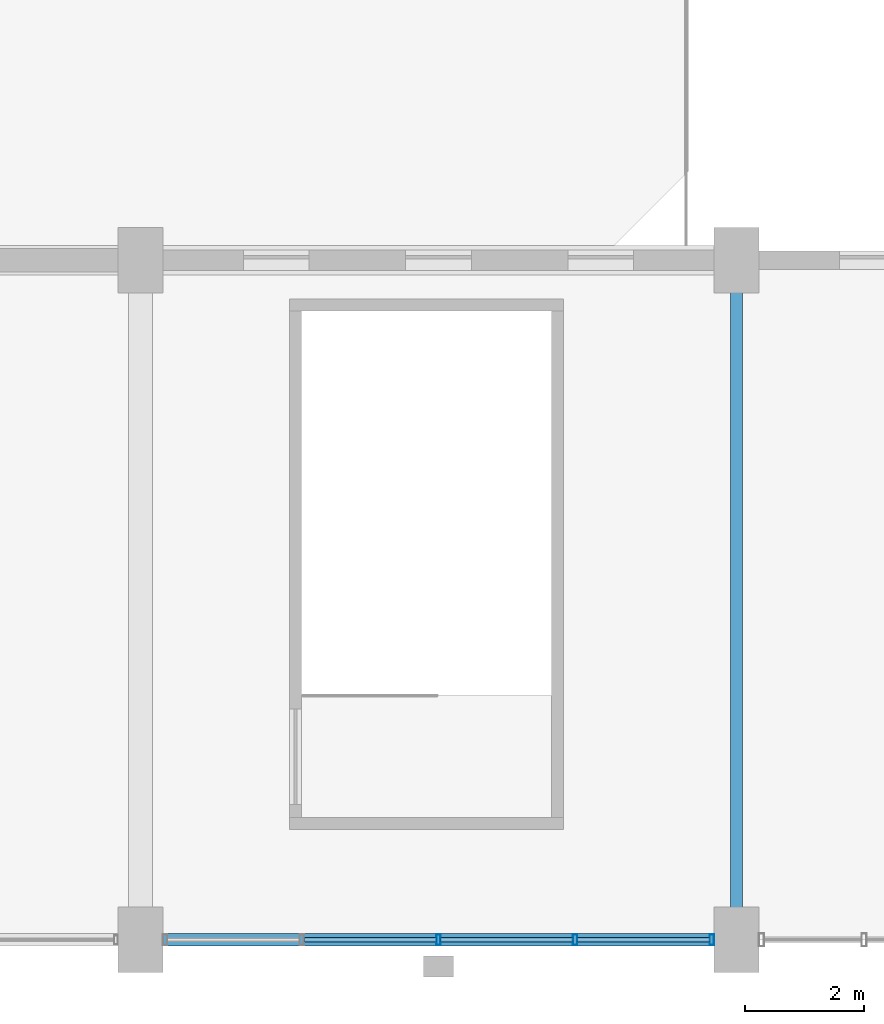
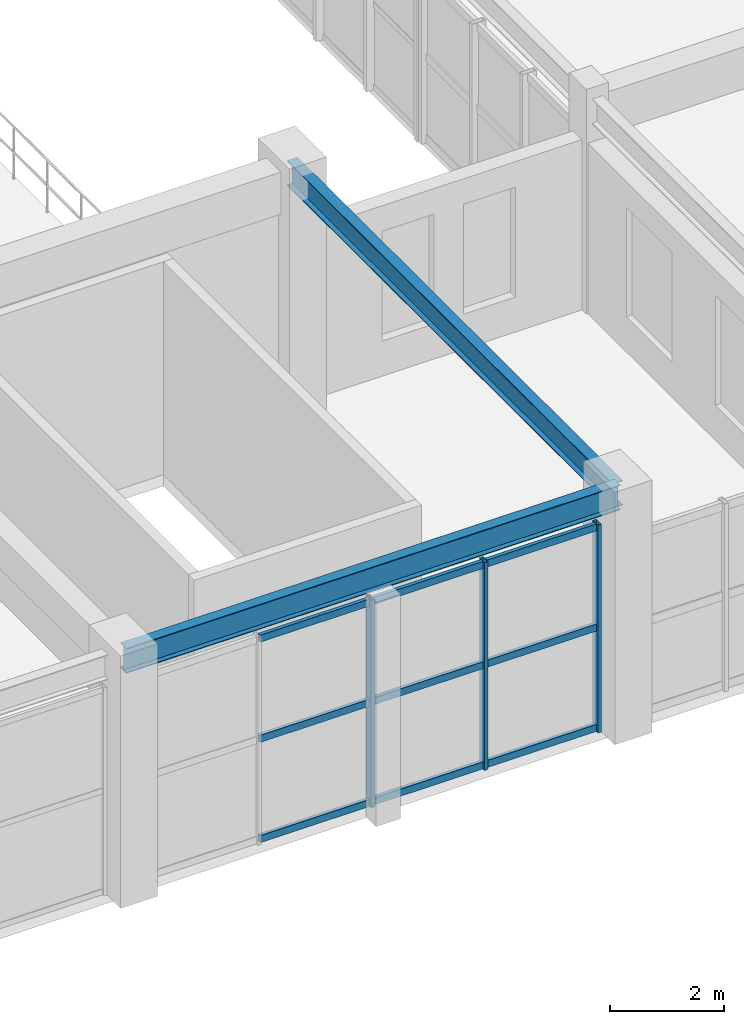
# One storey, part 32 of 106: 12 members, 2 beams, 1 element without a shape of its own.
"""IFC4 building model written with IfcOpenShell, lengths in metres."""

from ifc_helpers import new_model, si_unit, direction, frame, origin, origin_2d, place, context, subcontext, project, spatial, hollow_rectangle, i_section, extrude, material, layer, layer_set, material_profile, profile_set, type_object, element, aggregate, save


model = new_model("IFC4")

# Units and contexts
model_context = context("Model", 3, precision=1e-05, world=origin(), true_north=direction((0.0, 1.0)))
body_context = subcontext(model_context, "Body", "Model", "MODEL_VIEW")
ifc_project = project(units=[si_unit("LENGTHUNIT", "METRE"), si_unit("AREAUNIT", "SQUARE_METRE"), si_unit("VOLUMEUNIT", "CUBIC_METRE"), si_unit("PLANEANGLEUNIT", "RADIAN"), si_unit("MASSUNIT", "GRAM", prefix="KILO"), si_unit("POWERUNIT", "WATT"), si_unit("THERMODYNAMICTEMPERATUREUNIT", "KELVIN")], contexts=[model_context])

# Site, building, storey
site_placement = place(None, origin())
site = spatial("IfcSite", under=ifc_project, at=site_placement, CompositionType="ELEMENT")
building_placement = place(site_placement, origin())
building = spatial("IfcBuilding", under=site, at=building_placement, Name="Kelmbourne Parkland Aquatics Centre", CompositionType="ELEMENT")
storey_placement = place(building_placement, frame((0.0, 0.0, 5.39990234375)))
storey = spatial("IfcBuildingStorey", under=building, at=storey_placement, Name="L01", CompositionType="ELEMENT", Elevation=5.39990234375)

# Beams
ifc_material_1 = material(Name="Structural steel AS/NZS 3679.1 Grade 300", Category="steel")
ifc_material_profile_1 = material_profile(ifc_material_1, i_section(OverallWidth=0.208984375, OverallDepth=0.532958984375, WebThickness=0.01025390625, FlangeThickness=0.015625, at=origin_2d()), Name="530UB92.4")
ifc_profile_set_1 = profile_set([ifc_material_profile_1], Name="Structural steel AS/NZS 3679.1 Grade 300")
beam_type = type_object("IfcBeamType", Name="BM-SP02", PredefinedType="SPANDREL", material=ifc_profile_set_1)
beam_1_placement = place(storey_placement, frame((86.0, 0.800048828125, 4.8935546875), z_axis=(1.0, 0.0, 0.0), x_axis=(0.0, 1.0, 0.0)))
element("IfcBeam", 1, at=beam_1_placement, inside=storey, type_object=beam_type, Name="Perimeter spandrel K-L Grid 01 (L02_FOY)", PredefinedType="SPANDREL", context=body_context, shape_type="SweptSolid", body=[
    extrude(i_section(OverallWidth=0.208984375, OverallDepth=0.532958984375, WebThickness=0.01025390625, FlangeThickness=0.015625, at=origin_2d()), origin(), (0.0, 0.0, 1.0), 10.0),
])
beam_2_placement = place(storey_placement, frame((96.0, 0.800048828125, 4.8935546875), z_axis=(0.0, 1.0, 0.0), x_axis=(-1.0, 0.0, 0.0)))
element("IfcBeam", 2, at=beam_2_placement, inside=storey, type_object=beam_type, Name="Perimeter spandrel 01-03 Grid L (L02_FOY)", PredefinedType="SPANDREL", context=body_context, shape_type="SweptSolid", body=[
    extrude(i_section(OverallWidth=0.208984375, OverallDepth=0.532958984375, WebThickness=0.01025390625, FlangeThickness=0.015625, at=origin_2d()), origin(), (0.0, 0.0, 1.0), 11.39990234375),
])

# Curtain wall, members
ifc_material_2 = material(Name="Thermally broken anodised aluminium framing", Category="aluminium")
ifc_layer = layer(ifc_material_2, 0.179931640625)
ifc_layer_set = layer_set([ifc_layer], Name="Thermally broken anodised aluminium framing")
curtain_wall_type = type_object("IfcCurtainWallType", Name="CW-22", PredefinedType="NOTDEFINED", material=ifc_layer_set)
curtain_wall_placement = place(storey_placement, origin())
curtain_wall = element("IfcCurtainWall", 3, at=curtain_wall_placement, inside=storey, type_object=curtain_wall_type, Name="Facade curtain wall CW-L01-166", PredefinedType="NOTDEFINED")
ifc_material_profile_2 = material_profile(ifc_material_2, hollow_rectangle(XDim=0.074951171875, YDim=0.179931640625, WallThickness=0.00439453125, at=origin_2d()), Name="CW-M 75x180")
ifc_profile_set_2 = profile_set([ifc_material_profile_2], Name="Thermally broken anodised aluminium framing")
member_type_1 = type_object("IfcMemberType", Name="MB-MUL-2", PredefinedType="MULLION", material=ifc_profile_set_2)
member_1_placement = place(storey_placement, frame((91.0, 0.800048828125, 0.0), z_axis=(0.0, 0.0, 1.0), x_axis=(1.0, 0.0, 0.0)))
member_1 = element("IfcMember", 4, at=member_1_placement, type_object=member_type_1, Name="CW-L01-166 mullion 2", PredefinedType="MULLION", context=body_context, shape_type="SweptSolid", body=[
    extrude(hollow_rectangle(XDim=0.074951171875, YDim=0.179931640625, WallThickness=0.00439453125, at=origin_2d()), origin(), (0.0, 0.0, 1.0), 4.445068359375),
])
member_2_placement = place(storey_placement, frame((93.292724609375, 0.800048828125, 0.0), z_axis=(0.0, 0.0, 1.0), x_axis=(1.0, 0.0, 0.0)))
member_2 = element("IfcMember", 5, at=member_2_placement, type_object=member_type_1, Name="CW-L01-166 mullion 3", PredefinedType="MULLION", context=body_context, shape_type="SweptSolid", body=[
    extrude(hollow_rectangle(XDim=0.074951171875, YDim=0.179931640625, WallThickness=0.00439453125, at=origin_2d()), origin(), (0.0, 0.0, 1.0), 4.445068359375),
])
member_3_placement = place(storey_placement, frame((95.58544921875, 0.800048828125, 0.0), z_axis=(0.0, 0.0, 1.0), x_axis=(1.0, 0.0, 0.0)))
member_3 = element("IfcMember", 6, at=member_3_placement, type_object=member_type_1, Name="CW-L01-166 mullion 4", PredefinedType="MULLION", context=body_context, shape_type="SweptSolid", body=[
    extrude(hollow_rectangle(XDim=0.074951171875, YDim=0.179931640625, WallThickness=0.00439453125, at=origin_2d()), origin(), (0.0, 0.0, 1.0), 4.445068359375),
])
ifc_material_profile_3 = material_profile(ifc_material_2, hollow_rectangle(XDim=0.074951171875, YDim=0.14990234375, WallThickness=0.00390625, at=origin_2d()), Name="CW-T 75x150")
ifc_profile_set_3 = profile_set([ifc_material_profile_3], Name="Thermally broken anodised aluminium framing")
member_type_2 = type_object("IfcMemberType", Name="MB-TRN-2", PredefinedType="USERDEFINED", material=ifc_profile_set_3)
member_4_placement = place(storey_placement, frame((88.74072265625, 0.800048828125, 0.078125), z_axis=(1.0, 0.0, 0.0), x_axis=(0.0, 1.0, 0.0)))
member_4 = element("IfcMember", 7, at=member_4_placement, type_object=member_type_2, Name="CW-L01-166 transom 0-1", ObjectType="TRANSOM", PredefinedType="USERDEFINED", context=body_context, shape_type="SweptSolid", body=[
    extrude(hollow_rectangle(XDim=0.074951171875, YDim=0.14990234375, WallThickness=0.00390625, at=origin_2d()), origin(), (0.0, 0.0, 1.0), 2.225830078125),
])
member_5_placement = place(storey_placement, frame((91.033447265625, 0.800048828125, 0.078125), z_axis=(1.0, 0.0, 0.0), x_axis=(0.0, 1.0, 0.0)))
member_5 = element("IfcMember", 8, at=member_5_placement, type_object=member_type_2, Name="CW-L01-166 transom 0-2", ObjectType="TRANSOM", PredefinedType="USERDEFINED", context=body_context, shape_type="SweptSolid", body=[
    extrude(hollow_rectangle(XDim=0.074951171875, YDim=0.14990234375, WallThickness=0.00390625, at=origin_2d()), origin(), (0.0, 0.0, 1.0), 2.225830078125),
])
member_6_placement = place(storey_placement, frame((93.326416015625, 0.800048828125, 0.078125), z_axis=(1.0, 0.0, 0.0), x_axis=(0.0, 1.0, 0.0)))
member_6 = element("IfcMember", 9, at=member_6_placement, type_object=member_type_2, Name="CW-L01-166 transom 0-3", ObjectType="TRANSOM", PredefinedType="USERDEFINED", context=body_context, shape_type="SweptSolid", body=[
    extrude(hollow_rectangle(XDim=0.074951171875, YDim=0.14990234375, WallThickness=0.00390625, at=origin_2d()), origin(), (0.0, 0.0, 1.0), 2.2255859375),
])
member_7_placement = place(storey_placement, frame((88.74072265625, 0.800048828125, 2.22265625), z_axis=(1.0, 0.0, 0.0), x_axis=(0.0, 1.0, 0.0)))
member_7 = element("IfcMember", 10, at=member_7_placement, type_object=member_type_2, Name="CW-L01-166 transom 1-1", ObjectType="TRANSOM", PredefinedType="USERDEFINED", context=body_context, shape_type="SweptSolid", body=[
    extrude(hollow_rectangle(XDim=0.074951171875, YDim=0.14990234375, WallThickness=0.00390625, at=origin_2d()), origin(), (0.0, 0.0, 1.0), 2.225830078125),
])
member_8_placement = place(storey_placement, frame((91.033447265625, 0.800048828125, 2.22265625), z_axis=(1.0, 0.0, 0.0), x_axis=(0.0, 1.0, 0.0)))
member_8 = element("IfcMember", 11, at=member_8_placement, type_object=member_type_2, Name="CW-L01-166 transom 1-2", ObjectType="TRANSOM", PredefinedType="USERDEFINED", context=body_context, shape_type="SweptSolid", body=[
    extrude(hollow_rectangle(XDim=0.074951171875, YDim=0.14990234375, WallThickness=0.00390625, at=origin_2d()), origin(), (0.0, 0.0, 1.0), 2.225830078125),
])
member_9_placement = place(storey_placement, frame((93.326416015625, 0.800048828125, 2.22265625), z_axis=(1.0, 0.0, 0.0), x_axis=(0.0, 1.0, 0.0)))
member_9 = element("IfcMember", 12, at=member_9_placement, type_object=member_type_2, Name="CW-L01-166 transom 1-3", ObjectType="TRANSOM", PredefinedType="USERDEFINED", context=body_context, shape_type="SweptSolid", body=[
    extrude(hollow_rectangle(XDim=0.074951171875, YDim=0.14990234375, WallThickness=0.00390625, at=origin_2d()), origin(), (0.0, 0.0, 1.0), 2.2255859375),
])
member_10_placement = place(storey_placement, frame((88.74072265625, 0.800048828125, 4.3671875), z_axis=(1.0, 0.0, 0.0), x_axis=(0.0, 1.0, 0.0)))
member_10 = element("IfcMember", 13, at=member_10_placement, type_object=member_type_2, Name="CW-L01-166 transom 2-1", ObjectType="TRANSOM", PredefinedType="USERDEFINED", context=body_context, shape_type="SweptSolid", body=[
    extrude(hollow_rectangle(XDim=0.074951171875, YDim=0.14990234375, WallThickness=0.00390625, at=origin_2d()), origin(), (0.0, 0.0, 1.0), 2.225830078125),
])
member_11_placement = place(storey_placement, frame((91.033447265625, 0.800048828125, 4.3671875), z_axis=(1.0, 0.0, 0.0), x_axis=(0.0, 1.0, 0.0)))
member_11 = element("IfcMember", 14, at=member_11_placement, type_object=member_type_2, Name="CW-L01-166 transom 2-2", ObjectType="TRANSOM", PredefinedType="USERDEFINED", context=body_context, shape_type="SweptSolid", body=[
    extrude(hollow_rectangle(XDim=0.074951171875, YDim=0.14990234375, WallThickness=0.00390625, at=origin_2d()), origin(), (0.0, 0.0, 1.0), 2.225830078125),
])
member_12_placement = place(storey_placement, frame((93.326416015625, 0.800048828125, 4.3671875), z_axis=(1.0, 0.0, 0.0), x_axis=(0.0, 1.0, 0.0)))
member_12 = element("IfcMember", 15, at=member_12_placement, type_object=member_type_2, Name="CW-L01-166 transom 2-3", ObjectType="TRANSOM", PredefinedType="USERDEFINED", context=body_context, shape_type="SweptSolid", body=[
    extrude(hollow_rectangle(XDim=0.074951171875, YDim=0.14990234375, WallThickness=0.00390625, at=origin_2d()), origin(), (0.0, 0.0, 1.0), 2.2255859375),
])
aggregate(curtain_wall, [member_1, member_2, member_3, member_4, member_5, member_6, member_7, member_8, member_9, member_10, member_11, member_12])

save(model, "model.ifc")
